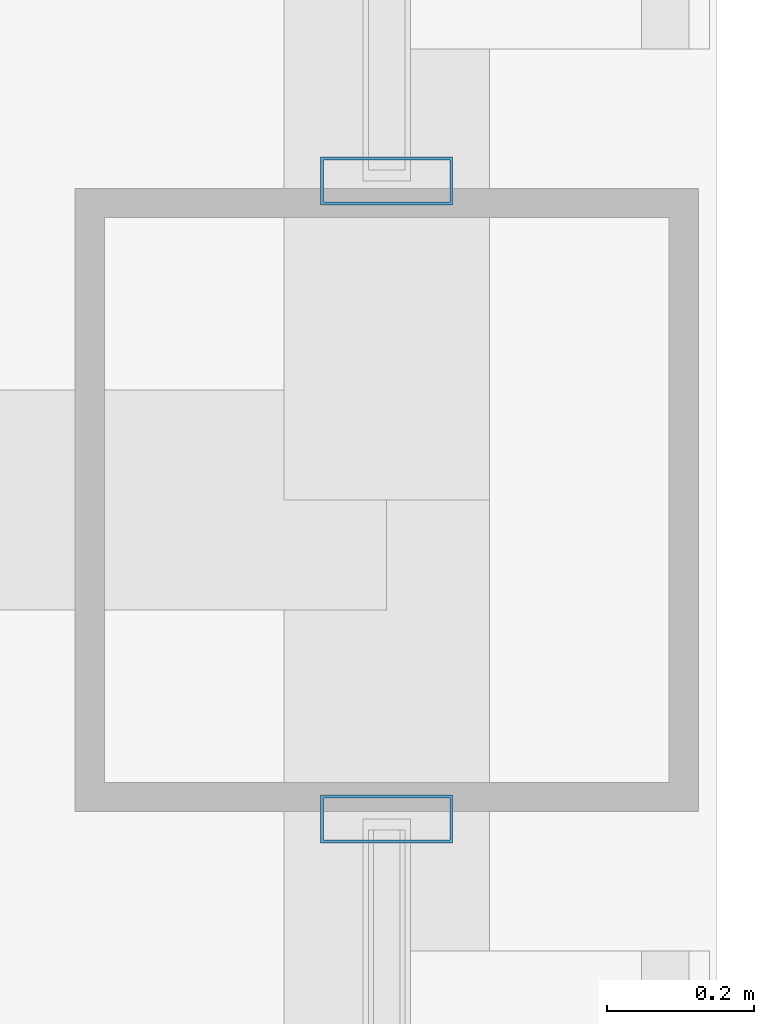
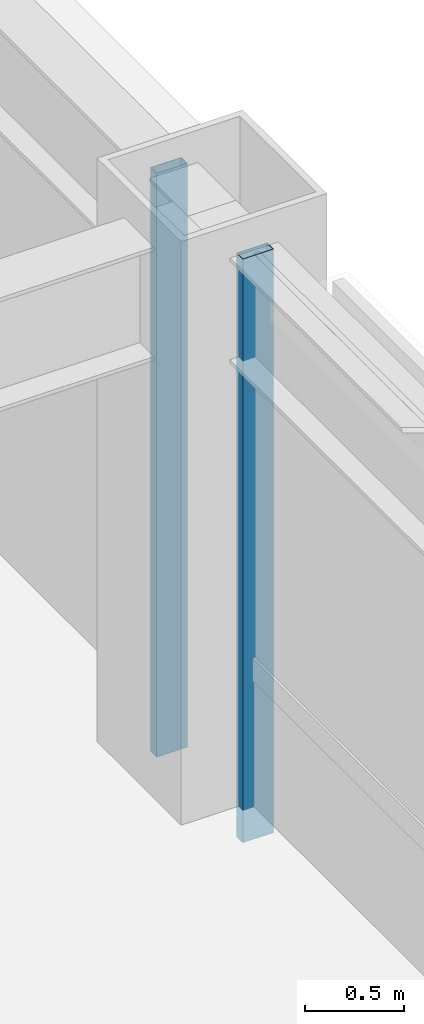
# One storey, part 16 of 30: 2 members, 2 elements without a shape of their own.
"""IFC4 building model written with IfcOpenShell, lengths in metres."""

from ifc_helpers import new_model, si_unit, direction, frame, origin, origin_2d, place, context, subcontext, project, spatial, hollow_rectangle, extrude, material, layer, layer_set, material_profile, profile_set, type_object, element, aggregate, save


model = new_model("IFC4")

# Units and contexts
model_context = context("Model", 3, precision=1e-05, world=origin(), true_north=direction((0.0, 1.0)))
body_context = subcontext(model_context, "Body", "Model", "MODEL_VIEW")
ifc_project = project(units=[si_unit("LENGTHUNIT", "METRE"), si_unit("AREAUNIT", "SQUARE_METRE"), si_unit("VOLUMEUNIT", "CUBIC_METRE"), si_unit("PLANEANGLEUNIT", "RADIAN"), si_unit("MASSUNIT", "GRAM", prefix="KILO")], contexts=[model_context])

# Site, building, storey
site_placement = place(None, origin())
site = spatial("IfcSite", under=ifc_project, at=site_placement, CompositionType="ELEMENT")
building_placement = place(site_placement, origin())
building = spatial("IfcBuilding", under=site, at=building_placement, Name="Brelmoor Portico Tower", CompositionType="ELEMENT")
storey_placement = place(building_placement, frame((0.0, 0.0, 102.60009765625)))
storey = spatial("IfcBuildingStorey", under=building, at=storey_placement, Name="L26", CompositionType="ELEMENT", Elevation=102.60009765625)

# Curtain wall, member
ifc_material = material(Name="Anodised Aluminium Alloy 6063-T6", Category="aluminium")
ifc_layer_1 = layer(ifc_material, 0.179931640625)
ifc_layer_set_1 = layer_set([ifc_layer_1], Name="Anodised Aluminium Alloy 6063-T6")
curtain_wall_type_1 = type_object("IfcCurtainWallType", Name="CW-TOWER-Z2", PredefinedType="NOTDEFINED", material=ifc_layer_set_1)
curtain_wall_1_placement = place(storey_placement, origin())
curtain_wall_1 = element("IfcCurtainWall", 1, at=curtain_wall_1_placement, inside=storey, type_object=curtain_wall_type_1, Name="L26 Curtain Wall CW-L26-4R-1", PredefinedType="NOTDEFINED")
ifc_material_profile = material_profile(ifc_material, hollow_rectangle(XDim=0.06494140625, YDim=0.179931640625, WallThickness=0.00390625, at=origin_2d()), Name="ALU MULLION 65x180")
ifc_profile_set = profile_set([ifc_material_profile], Name="Anodised Aluminium Alloy 6063-T6")
member_type = type_object("IfcMemberType", Name="MB-CW-MULL-180", PredefinedType="MULLION", material=ifc_profile_set)
member_1_placement = place(storey_placement, frame((22.550048828125, 9.31494140625, -0.2001953125), z_axis=(0.0, 0.0, 1.0), x_axis=(0.0, 1.0, 0.0)))
member_1 = element("IfcMember", 2, at=member_1_placement, type_object=member_type, Name="CW-L26-4R-1 Mullion 01", PredefinedType="MULLION", context=body_context, shape_type="SweptSolid", body=[
    extrude(hollow_rectangle(XDim=0.06494140625, YDim=0.179931640625, WallThickness=0.00390625, at=origin_2d()), origin(), (0.0, 0.0, 1.0), 3.60009765625),
])
aggregate(curtain_wall_1, [member_1])

ifc_layer_2 = layer(ifc_material, 0.179931640625)
ifc_layer_set_2 = layer_set([ifc_layer_2], Name="Anodised Aluminium Alloy 6063-T6")
curtain_wall_type_2 = type_object("IfcCurtainWallType", Name="CW-TOWER-Z2-XB", PredefinedType="NOTDEFINED", material=ifc_layer_set_2)
curtain_wall_2_placement = place(storey_placement, origin())
curtain_wall_2 = element("IfcCurtainWall", 3, at=curtain_wall_2_placement, inside=storey, type_object=curtain_wall_type_2, Name="L26 Curtain Wall CW-L26-4R-2", PredefinedType="NOTDEFINED")
member_2_placement = place(storey_placement, frame((22.550048828125, 10.18505859375, -0.2001953125), z_axis=(0.0, 0.0, 1.0), x_axis=(0.0, 1.0, 0.0)))
member_2 = element("IfcMember", 4, at=member_2_placement, type_object=member_type, Name="CW-L26-4R-2 Mullion 00", PredefinedType="MULLION", context=body_context, shape_type="SweptSolid", body=[
    extrude(hollow_rectangle(XDim=0.06494140625, YDim=0.179931640625, WallThickness=0.00390625, at=origin_2d()), origin(), (0.0, 0.0, 1.0), 3.60009765625),
])
aggregate(curtain_wall_2, [member_2])

save(model, "model.ifc")
